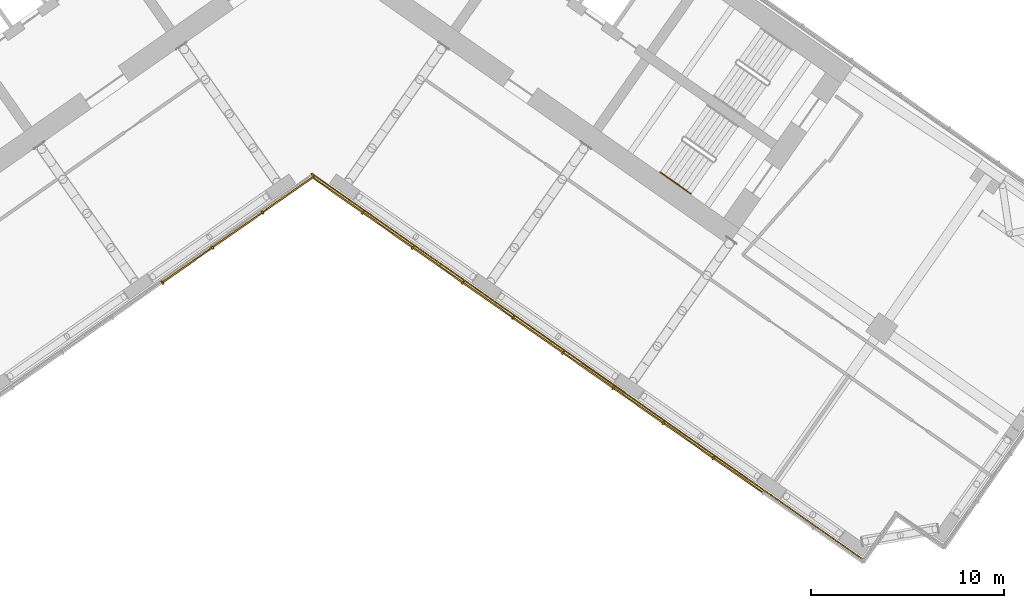
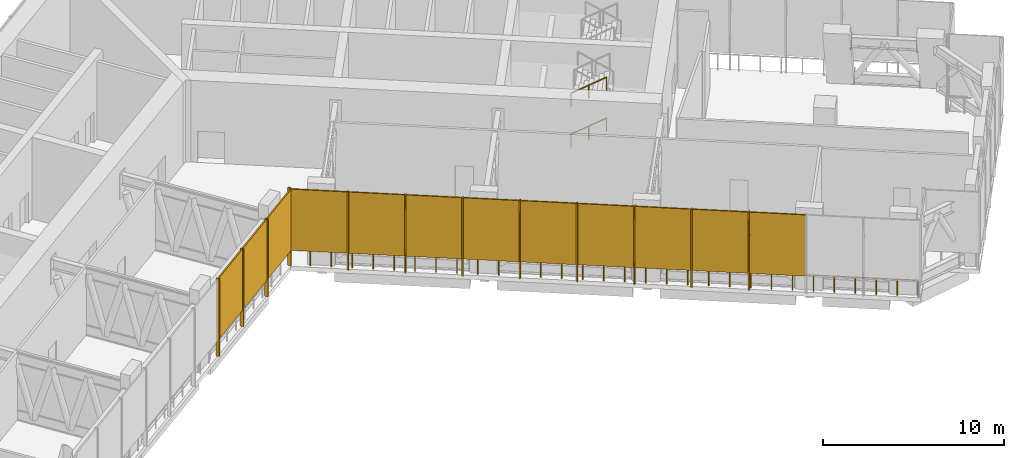
# One storey, part 20 of 24: 24 shading devices, 3 railings.
"""IFC4 building model written with IfcOpenShell, lengths in metres."""

from ifc_helpers import new_model, si_unit, direction, frame, origin, origin_2d, place, context, subcontext, project, spatial, rectangle, circle, extrude, material, layer, layer_set, type_object, element, save


model = new_model("IFC4")

# Units and contexts
model_context = context("Model", 3, precision=1e-05, world=origin(), true_north=direction((0.0, 1.0)))
body_context = subcontext(model_context, "Body", "Model", "MODEL_VIEW")
ifc_project = project(units=[si_unit("LENGTHUNIT", "METRE"), si_unit("AREAUNIT", "SQUARE_METRE"), si_unit("VOLUMEUNIT", "CUBIC_METRE"), si_unit("PLANEANGLEUNIT", "RADIAN"), si_unit("MASSUNIT", "GRAM", prefix="KILO")], contexts=[model_context])

# Site, building, storey
site_placement = place(None, origin())
site = spatial("IfcSite", under=ifc_project, at=site_placement, CompositionType="ELEMENT")
building_placement = place(site_placement, origin())
building = spatial("IfcBuilding", under=site, at=building_placement, Name="Tel Ilan Convention Tower", CompositionType="ELEMENT")
storey_placement = place(building_placement, frame((0.0, 0.0, 126.5)))
storey = spatial("IfcBuildingStorey", under=building, at=storey_placement, Name="L28", CompositionType="ELEMENT", Elevation=126.5)

# Shading devices
ifc_material_1 = material(Name="Perforated aluminium sheet, bronze anodised", Category="aluminium")
ifc_layer_1 = layer(ifc_material_1, 0.080078125)
ifc_layer_set_1 = layer_set([ifc_layer_1], Name="PERFORATED SCREEN 80")
shading_device_type_1 = type_object("IfcShadingDeviceType", Name="PERFORATED SCREEN 80", PredefinedType="USERDEFINED", material=ifc_layer_set_1)
for number, where, z_axis, x_axis, name in (
    (1, (-6.487548828125, -17.36083984375, 1.099853515625), (0.0, 0.0, 1.0), (0.819152044289, 0.573576436351, 0.0), "SCREEN"),
    (2, (-3.892578125, -15.543701171875, 1.099853515625), (0.0, 0.0, 1.0), (0.819152044289, 0.573576436351, 0.0), "SCREEN"),
    (3, (-1.297607421875, -13.7265625, 1.099853515625), (0.0, 0.0, 1.0), (0.819152044289, 0.573576436351, 0.0), "SCREEN"),
    (4, (1.297607421875, -13.7265625, 1.099853515625), (0.0, 0.0, 1.0), (0.819152044289, -0.573576436351, 0.0), "SCREEN"),
    (5, (3.892578125, -15.543701171875, 1.099853515625), (0.0, 0.0, 1.0), (0.819152044289, -0.573576436351, 0.0), "SCREEN"),
    (6, (6.487548828125, -17.36083984375, 1.099853515625), (0.0, 0.0, 1.0), (0.819152044289, -0.573576436351, 0.0), "SCREEN"),
    (7, (9.082763671875, -19.177978515625, 1.099853515625), (0.0, 0.0, 1.0), (0.819152044289, -0.573576436351, 0.0), "SCREEN"),
    (8, (11.677734375, -20.9951171875, 1.099853515625), (0.0, 0.0, 1.0), (0.819152044289, -0.573576436351, 0.0), "SCREEN"),
    (9, (14.27294921875, -22.81201171875, 1.099853515625), (0.0, 0.0, 1.0), (0.819152044289, -0.573576436351, 0.0), "SCREEN"),
    (10, (16.867919921875, -24.629150390625, 1.099853515625), (0.0, 0.0, 1.0), (0.819152044289, -0.573576436351, 0.0), "SCREEN"),
    (11, (19.462890625, -26.4462890625, 1.099853515625), (0.0, 0.0, 1.0), (0.819152044289, -0.573576436351, 0.0), "SCREEN"),
    (12, (22.05810546875, -28.263427734375, 1.099853515625), (0.0, 0.0, 1.0), (0.819152044289, -0.573576436351, 0.0), "SCREEN"),
):
    element("IfcShadingDevice", number, at=place(storey_placement, frame(where, z_axis=z_axis, x_axis=x_axis)), inside=storey, type_object=shading_device_type_1, Name=name, ObjectType="SCREEN", PredefinedType="USERDEFINED", context=body_context, shape_type="SweptSolid", body=[
        extrude(rectangle(XDim=3.10791015625, YDim=0.080078125, at=origin_2d()), origin(), (0.0, 0.0, 1.0), 4.1201171875),
    ])

# Railing
ifc_material_2 = material(Name="Stainless steel S316", Category="steel")
railing_type_1 = type_object("IfcRailingType", Name="REFUGE EDGE GUARD 1100", PredefinedType="GUARDRAIL", material=ifc_material_2)
railing_placement = place(storey_placement, frame((28.51123046875, -32.611083984375, 0.0)))
element("IfcRailing", 13, at=railing_placement, inside=storey, type_object=railing_type_1, Name="Refuge edge guard 22.R13", PredefinedType="GUARDRAIL", context=body_context, shape_type="SweptSolid", body=[
    extrude(circle(Radius=0.02490234375, at=origin_2d()), frame((0.0, 0.0, 1.0751953125), z_axis=(-0.81915084706, 0.573578146168, 0.0), x_axis=(-0.573578146168, -0.81915084706, 0.0)), (0.0, 0.0, 1.0), 34.805908203125),
    extrude(circle(Radius=0.02490234375, at=origin_2d()), origin(), (0.0, 0.0, 1.0), 1.050048828125),
    extrude(circle(Radius=0.02490234375, at=origin_2d()), frame((-0.950439453125, 0.66552734375, 0.0)), (0.0, 0.0, 1.0), 1.050048828125),
    extrude(circle(Radius=0.02490234375, at=origin_2d()), frame((-1.900634765625, 1.330810546875, 0.0)), (0.0, 0.0, 1.0), 1.050048828125),
    extrude(circle(Radius=0.02490234375, at=origin_2d()), frame((-2.85107421875, 1.996337890625, 0.0)), (0.0, 0.0, 1.0), 1.050048828125),
    extrude(circle(Radius=0.02490234375, at=origin_2d()), frame((-3.801513671875, 2.661865234375, 0.0)), (0.0, 0.0, 1.0), 1.050048828125),
    extrude(circle(Radius=0.02490234375, at=origin_2d()), frame((-4.751953125, 3.327392578125, 0.0)), (0.0, 0.0, 1.0), 1.050048828125),
    extrude(circle(Radius=0.02490234375, at=origin_2d()), frame((-5.7021484375, 3.99267578125, 0.0)), (0.0, 0.0, 1.0), 1.050048828125),
    extrude(circle(Radius=0.02490234375, at=origin_2d()), frame((-6.652587890625, 4.658203125, 0.0)), (0.0, 0.0, 1.0), 1.050048828125),
    extrude(circle(Radius=0.02490234375, at=origin_2d()), frame((-7.60302734375, 5.32373046875, 0.0)), (0.0, 0.0, 1.0), 1.050048828125),
    extrude(circle(Radius=0.02490234375, at=origin_2d()), frame((-8.553466796875, 5.9892578125, 0.0)), (0.0, 0.0, 1.0), 1.050048828125),
    extrude(circle(Radius=0.02490234375, at=origin_2d()), frame((-9.503662109375, 6.654541015625, 0.0)), (0.0, 0.0, 1.0), 1.050048828125),
    extrude(circle(Radius=0.02490234375, at=origin_2d()), frame((-10.4541015625, 7.320068359375, 0.0)), (0.0, 0.0, 1.0), 1.050048828125),
    extrude(circle(Radius=0.02490234375, at=origin_2d()), frame((-11.404541015625, 7.985595703125, 0.0)), (0.0, 0.0, 1.0), 1.050048828125),
    extrude(circle(Radius=0.02490234375, at=origin_2d()), frame((-12.35498046875, 8.651123046875, 0.0)), (0.0, 0.0, 1.0), 1.050048828125),
    extrude(circle(Radius=0.02490234375, at=origin_2d()), frame((-13.30517578125, 9.31640625, 0.0)), (0.0, 0.0, 1.0), 1.050048828125),
    extrude(circle(Radius=0.02490234375, at=origin_2d()), frame((-14.255615234375, 9.98193359375, 0.0)), (0.0, 0.0, 1.0), 1.050048828125),
    extrude(circle(Radius=0.02490234375, at=origin_2d()), frame((-15.2060546875, 10.6474609375, 0.0)), (0.0, 0.0, 1.0), 1.050048828125),
    extrude(circle(Radius=0.02490234375, at=origin_2d()), frame((-16.15625, 11.312744140625, 0.0)), (0.0, 0.0, 1.0), 1.050048828125),
    extrude(circle(Radius=0.02490234375, at=origin_2d()), frame((-17.106689453125, 11.978271484375, 0.0)), (0.0, 0.0, 1.0), 1.050048828125),
    extrude(circle(Radius=0.02490234375, at=origin_2d()), frame((-18.05712890625, 12.643798828125, 0.0)), (0.0, 0.0, 1.0), 1.050048828125),
    extrude(circle(Radius=0.02490234375, at=origin_2d()), frame((-19.007568359375, 13.309326171875, 0.0)), (0.0, 0.0, 1.0), 1.050048828125),
    extrude(circle(Radius=0.02490234375, at=origin_2d()), frame((-19.957763671875, 13.974609375, 0.0)), (0.0, 0.0, 1.0), 1.050048828125),
    extrude(circle(Radius=0.02490234375, at=origin_2d()), frame((-20.908203125, 14.64013671875, 0.0)), (0.0, 0.0, 1.0), 1.050048828125),
    extrude(circle(Radius=0.02490234375, at=origin_2d()), frame((-21.858642578125, 15.3056640625, 0.0)), (0.0, 0.0, 1.0), 1.050048828125),
    extrude(circle(Radius=0.02490234375, at=origin_2d()), frame((-22.80908203125, 15.97119140625, 0.0)), (0.0, 0.0, 1.0), 1.050048828125),
    extrude(circle(Radius=0.02490234375, at=origin_2d()), frame((-23.75927734375, 16.636474609375, 0.0)), (0.0, 0.0, 1.0), 1.050048828125),
    extrude(circle(Radius=0.02490234375, at=origin_2d()), frame((-24.709716796875, 17.302001953125, 0.0)), (0.0, 0.0, 1.0), 1.050048828125),
    extrude(circle(Radius=0.02490234375, at=origin_2d()), frame((-25.66015625, 17.967529296875, 0.0)), (0.0, 0.0, 1.0), 1.050048828125),
    extrude(circle(Radius=0.02490234375, at=origin_2d()), frame((-26.610595703125, 18.633056640625, 0.0)), (0.0, 0.0, 1.0), 1.050048828125),
    extrude(circle(Radius=0.02490234375, at=origin_2d()), frame((-27.560791015625, 19.29833984375, 0.0)), (0.0, 0.0, 1.0), 1.050048828125),
    extrude(circle(Radius=0.02490234375, at=origin_2d()), frame((-28.51123046875, 19.9638671875, 0.0)), (0.0, 0.0, 1.0), 1.050048828125),
])

# Shading devices
ifc_material_3 = material(Name="Perforated aluminium sheet, bronze anodised", Category="aluminium")
ifc_layer_2 = layer(ifc_material_3, 0.080078125)
ifc_layer_set_2 = layer_set([ifc_layer_2], Name="SCREEN CORNER CLOSURE 80x200")
shading_device_type_2 = type_object("IfcShadingDeviceType", Name="SCREEN CORNER CLOSURE 80x200", PredefinedType="USERDEFINED", material=ifc_layer_set_2)
shading_device_placement = place(storey_placement, frame((0.0, -12.696044921875, 0.0), z_axis=(0.0, 0.0, 1.0), x_axis=(0.819152044289, 0.573576436351, 0.0)))
element("IfcShadingDevice", 14, at=shading_device_placement, inside=storey, type_object=shading_device_type_2, Name="SCREEN", ObjectType="SCREEN", PredefinedType="USERDEFINED", context=body_context, shape_type="SweptSolid", body=[
    extrude(rectangle(XDim=0.080078125, YDim=0.199951171875, at=origin_2d()), origin(), (0.0, 0.0, 1.0), 5.219970703125),
])
ifc_material_4 = material(Name="Aluminium, bronze anodised", Category="aluminium")
ifc_layer_3 = layer(ifc_material_4, 0.080078125)
ifc_layer_set_3 = layer_set([ifc_layer_3], Name="SCREEN POST 80x200")
shading_device_type_3 = type_object("IfcShadingDeviceType", Name="SCREEN POST 80x200", PredefinedType="USERDEFINED", material=ifc_layer_set_3)
for number, where, z_axis, x_axis, name in (
    (15, (-7.78515625, -18.269287109375, 0.0), (0.0, 0.0, 1.0), (0.819152044289, 0.573576436351, 0.0), "Screen post"),
    (16, (-5.190185546875, -16.452392578125, 0.0), (0.0, 0.0, 1.0), (0.819152044289, 0.573576436351, 0.0), "Screen post"),
    (17, (-2.594970703125, -14.63525390625, 0.0), (0.0, 0.0, 1.0), (0.819152044289, 0.573576436351, 0.0), "Screen post"),
    (18, (2.594970703125, -14.63525390625, 0.0), (0.0, 0.0, 1.0), (0.819152044289, -0.573576436351, 0.0), "Screen post"),
    (19, (5.190185546875, -16.452392578125, 0.0), (0.0, 0.0, 1.0), (0.819152044289, -0.573576436351, 0.0), "Screen post"),
    (20, (7.78515625, -18.269287109375, 0.0), (0.0, 0.0, 1.0), (0.819152044289, -0.573576436351, 0.0), "Screen post"),
    (21, (10.380126953125, -20.08642578125, 0.0), (0.0, 0.0, 1.0), (0.819152044289, -0.573576436351, 0.0), "Screen post"),
    (22, (12.975341796875, -21.903564453125, 0.0), (0.0, 0.0, 1.0), (0.819152044289, -0.573576436351, 0.0), "Screen post"),
    (23, (15.5703125, -23.720703125, 0.0), (0.0, 0.0, 1.0), (0.819152044289, -0.573576436351, 0.0), "Screen post"),
    (24, (18.16552734375, -25.53759765625, 0.0), (0.0, 0.0, 1.0), (0.819152044289, -0.573576436351, 0.0), "Screen post"),
    (25, (20.760498046875, -27.354736328125, 0.0), (0.0, 0.0, 1.0), (0.819152044289, -0.573576436351, 0.0), "Screen post"),
):
    element("IfcShadingDevice", number, at=place(storey_placement, frame(where, z_axis=z_axis, x_axis=x_axis)), inside=storey, type_object=shading_device_type_3, Name=name, ObjectType="SCREEN POST", PredefinedType="USERDEFINED", context=body_context, shape_type="SweptSolid", body=[
        extrude(rectangle(XDim=0.080078125, YDim=0.199951171875, at=origin_2d()), origin(), (0.0, 0.0, 1.0), 5.219970703125),
    ])

# Railings
ifc_material_5 = material(Name="Stainless Steel Grade 316", Category="steel")
railing_type_2 = type_object("IfcRailingType", Name="Stainless Steel Stair Handrail 900 mm", PredefinedType="HANDRAIL", material=ifc_material_5)
for number, where, name in (
    (26, (18.0009765625, -12.543212890625, 1.546875), "L28 S4 stair handrail 2"),
    (27, (18.0009765625, -12.543212890625, 4.296875), "L28 S4 stair handrail 4"),
):
    element("IfcRailing", number, at=place(storey_placement, frame(where)), inside=storey, type_object=railing_type_2, Name=name, PredefinedType="HANDRAIL", context=body_context, shape_type="SweptSolid", body=[
        extrude(circle(Radius=0.02392578125, at=origin_2d()), frame((0.0, 0.0, 0.8759765625), z_axis=(0.698094737943, -0.488857400886, 0.523146421621), x_axis=(0.573612813533, 0.819126571508, 0.0)), (0.0, 0.0, 1.0), 2.2998046875),
        extrude(circle(Radius=0.02099609375, at=origin_2d()), origin(), (0.0, 0.0, 1.0), 0.851806640625),
        extrude(circle(Radius=0.02099609375, at=origin_2d()), frame((0.802734375, -0.56201171875, 0.6015625)), (0.0, 0.0, 1.0), 0.851806640625),
        extrude(circle(Radius=0.02099609375, at=origin_2d()), frame((1.60546875, -1.124267578125, 1.203125)), (0.0, 0.0, 1.0), 0.851806640625),
    ])

save(model, "model.ifc")
